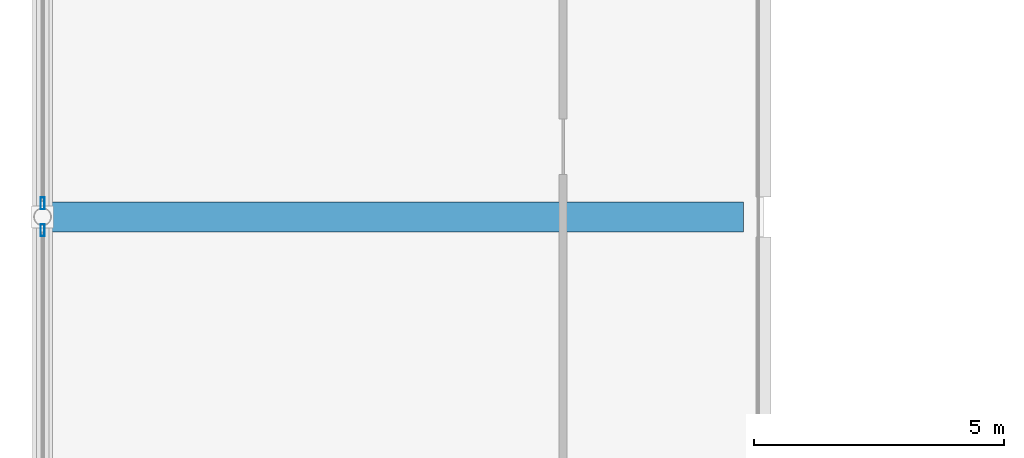
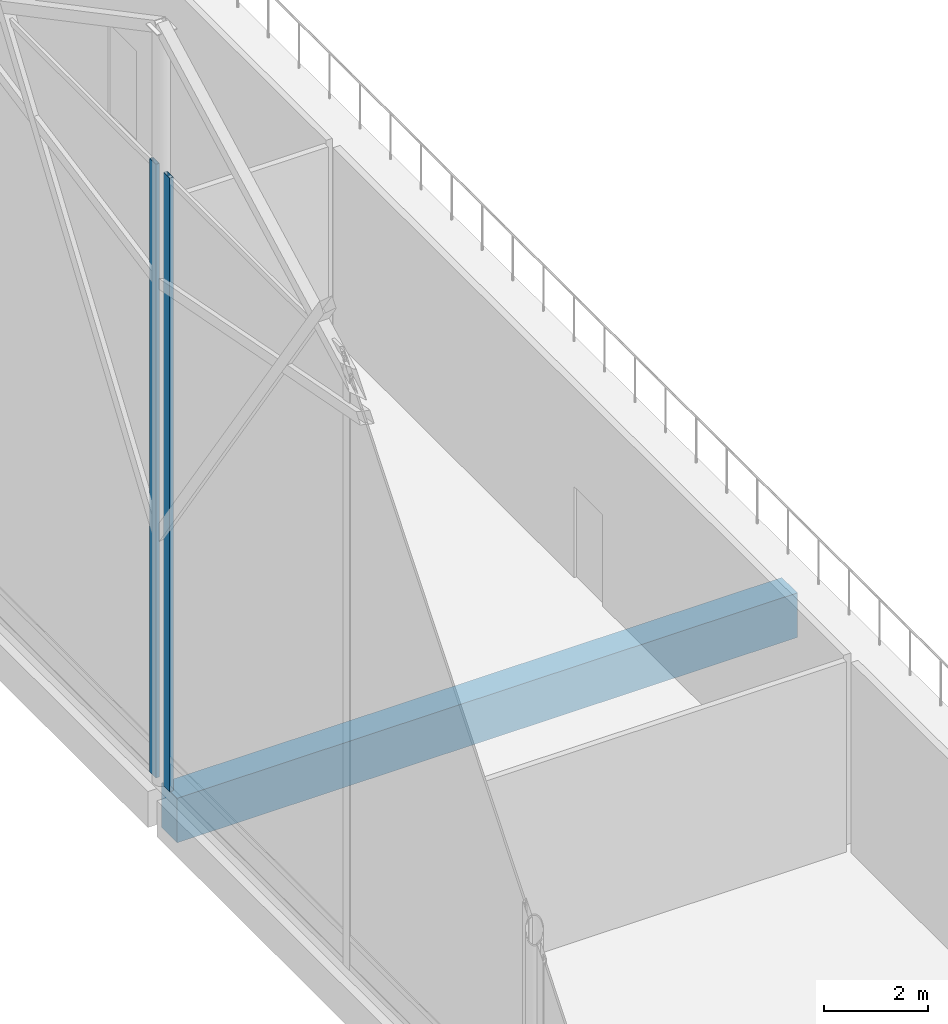
# One storey, part 56 of 220: 2 members, 1 beam, 2 elements without a shape of their own.
"""IFC4 building model written with IfcOpenShell, lengths in metres."""

from ifc_helpers import new_model, si_unit, direction, frame, origin, origin_2d, place, context, subcontext, project, spatial, rectangle, hollow_rectangle, extrude, material, material_profile, profile_set, type_object, element, aggregate, save


model = new_model("IFC4")

# Units and contexts
model_context = context("Model", 3, precision=1e-05, world=origin(), true_north=direction((0.0, 1.0)))
body_context = subcontext(model_context, "Body", "Model", "MODEL_VIEW")
ifc_project = project(units=[si_unit("LENGTHUNIT", "METRE"), si_unit("AREAUNIT", "SQUARE_METRE"), si_unit("VOLUMEUNIT", "CUBIC_METRE"), si_unit("PLANEANGLEUNIT", "RADIAN"), si_unit("MASSUNIT", "GRAM", prefix="KILO")], contexts=[model_context])

# Site, building, storey
site_placement = place(None, origin())
site = spatial("IfcSite", under=ifc_project, at=site_placement, CompositionType="ELEMENT")
building_placement = place(site_placement, origin())
building = spatial("IfcBuilding", under=site, at=building_placement, Name="Cendralis Lancet Convention Centre", CompositionType="ELEMENT")
storey_placement = place(building_placement, frame((0.0, 0.0, 5.39990234375)))
storey = spatial("IfcBuildingStorey", under=building, at=storey_placement, Name="L01", CompositionType="ELEMENT", Elevation=5.39990234375)

# Curtain wall, member
ifc_material_1 = material(Name="Anodised bronze architectural aluminium", Category="aluminium")
curtain_wall_type = type_object("IfcCurtainWallType", Name="ARC-CW-GB02", PredefinedType="USERDEFINED", material=ifc_material_1)
curtain_wall_1_placement = place(storey_placement, origin())
curtain_wall_1 = element("IfcCurtainWall", 1, at=curtain_wall_1_placement, inside=storey, type_object=curtain_wall_type, Name="L01 Curtain Wall CW-GB2 #101", ObjectType="CURTAIN WALL", PredefinedType="USERDEFINED")
ifc_material_profile_1 = material_profile(ifc_material_1, hollow_rectangle(XDim=0.080078125, YDim=0.239990234375, WallThickness=0.0048828125, at=origin_2d()), Name="AL-MULL 80x240x5.0")
ifc_profile_set_1 = profile_set([ifc_material_profile_1], Name="Anodised bronze architectural aluminium")
member_type = type_object("IfcMemberType", Name="ARC-CW-ML03", PredefinedType="MULLION", material=ifc_profile_set_1)
member_1_placement = place(storey_placement, frame((0.0, 93.332275390625, 0.0), z_axis=(0.0, 0.0, 1.0), x_axis=(1.0, 0.0, 0.0)))
member_1 = element("IfcMember", 2, at=member_1_placement, type_object=member_type, Name="Mullion CW2-CW-GB2-L01-101-M2", PredefinedType="MULLION", context=body_context, shape_type="SweptSolid", body=[
    extrude(hollow_rectangle(XDim=0.080078125, YDim=0.239990234375, WallThickness=0.0048828125, at=origin_2d()), origin(), (0.0, 0.0, 1.0), 14.4560546875),
])
aggregate(curtain_wall_1, [member_1])

curtain_wall_2_placement = place(storey_placement, origin())
curtain_wall_2 = element("IfcCurtainWall", 3, at=curtain_wall_2_placement, inside=storey, type_object=curtain_wall_type, Name="L01 Curtain Wall CW-GB2 #102", ObjectType="CURTAIN WALL", PredefinedType="USERDEFINED")
member_2_placement = place(storey_placement, frame((0.0, 93.867919921875, 0.0), z_axis=(0.0, 0.0, 1.0), x_axis=(1.0, 0.0, 0.0)))
member_2 = element("IfcMember", 4, at=member_2_placement, type_object=member_type, Name="Mullion CW2-CW-GB2-L01-102-M0", PredefinedType="MULLION", context=body_context, shape_type="SweptSolid", body=[
    extrude(hollow_rectangle(XDim=0.080078125, YDim=0.239990234375, WallThickness=0.0048828125, at=origin_2d()), origin(), (0.0, 0.0, 1.0), 14.4560546875),
])
aggregate(curtain_wall_2, [member_2])

# Beam
ifc_material_2 = material(Name="Concrete G40 (C40/50)", Category="concrete")
ifc_material_profile_2 = material_profile(ifc_material_2, rectangle(XDim=0.60009765625, YDim=1.050048828125, at=origin_2d()), Name="RCB 600x1050")
ifc_profile_set_2 = profile_set([ifc_material_profile_2], Name="Concrete G40 (C40/50)")
beam_type = type_object("IfcBeamType", Name="STR-BM-BG03", PredefinedType="BEAM", material=ifc_profile_set_2)
beam_placement = place(storey_placement, frame((0.177734375, 93.60009765625, -0.804931640625), z_axis=(1.0, 0.0, 0.0), x_axis=(0.0, 1.0, 0.0)))
element("IfcBeam", 5, at=beam_placement, inside=storey, type_object=beam_type, Name="L01 Beam BG03 #1286", PredefinedType="BEAM", context=body_context, shape_type="SweptSolid", body=[
    extrude(rectangle(XDim=0.60009765625, YDim=1.050048828125, at=origin_2d()), origin(), (0.0, 0.0, 1.0), 13.822265625),
])

save(model, "model.ifc")
